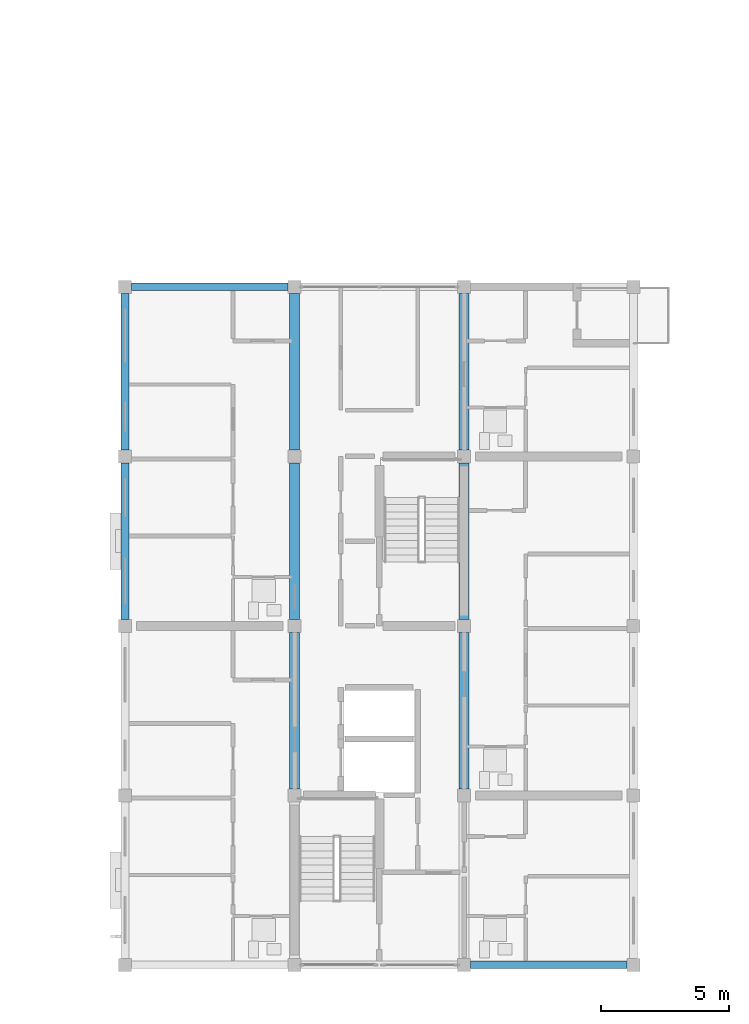
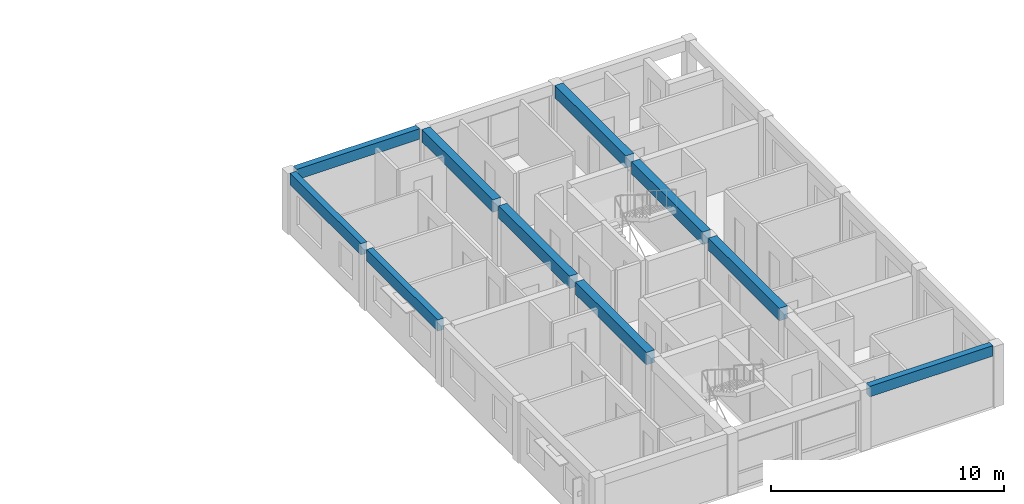
# One storey, part 12 of 52: 10 beams.
"""IFC4 building model written with IfcOpenShell, lengths in metres."""

from ifc_helpers import new_model, si_unit, direction, frame, origin, origin_2d, place, context, subcontext, project, spatial, rectangle, extrude, material, material_profile, profile_set, type_object, element, save


model = new_model("IFC4")

# Units and contexts
model_context = context("Model", 3, precision=1e-05, world=origin(), true_north=direction((0.0, 1.0)))
body_context = subcontext(model_context, "Body", "Model", "MODEL_VIEW")
ifc_project = project(units=[si_unit("LENGTHUNIT", "METRE"), si_unit("AREAUNIT", "SQUARE_METRE"), si_unit("VOLUMEUNIT", "CUBIC_METRE"), si_unit("PLANEANGLEUNIT", "RADIAN"), si_unit("MASSUNIT", "GRAM", prefix="KILO")], contexts=[model_context])

# Site, building, storey
site_placement = place(None, origin())
site = spatial("IfcSite", under=ifc_project, at=site_placement, CompositionType="ELEMENT")
building_placement = place(site_placement, origin())
building = spatial("IfcBuilding", under=site, at=building_placement, Name="Kernevlak Ridge Housing Community", CompositionType="ELEMENT")
storey_placement = place(building_placement, frame((0.0, 0.0, 11.60009765625)))
storey = spatial("IfcBuildingStorey", under=building, at=storey_placement, Name="L03", CompositionType="ELEMENT", Elevation=11.60009765625)

# Beams
ifc_material = material(Name="Concrete C35/45", Category="concrete")
ifc_material_profile_1 = material_profile(ifc_material, rectangle(XDim=0.39990234375, YDim=0.64990234375, at=origin_2d()), Name="RC 400x650")
ifc_profile_set_1 = profile_set([ifc_material_profile_1], Name="Concrete C35/45")
beam_type_1 = type_object("IfcBeamType", Name="B-03", PredefinedType="T_BEAM", material=ifc_profile_set_1)
beam_1_placement = place(storey_placement, frame((132.60009765625, 22.449951171875, 2.875), z_axis=(0.0, 1.0, 0.0), x_axis=(-1.0, 0.0, 0.0)))
element("IfcBeam", 1, at=beam_1_placement, inside=storey, type_object=beam_type_1, Name="Beam B-03 L03 1073", PredefinedType="T_BEAM", context=body_context, shape_type="SweptSolid", body=[
    extrude(rectangle(XDim=0.39990234375, YDim=0.64990234375, at=origin_2d()), origin(), (0.0, 0.0, 1.0), 6.10009765625),
])
beam_2_placement = place(storey_placement, frame((132.60009765625, 29.050048828125, 2.875), z_axis=(0.0, 1.0, 0.0), x_axis=(-1.0, 0.0, 0.0)))
element("IfcBeam", 2, at=beam_2_placement, inside=storey, type_object=beam_type_1, Name="Beam B-03 L03 1074", PredefinedType="T_BEAM", context=body_context, shape_type="SweptSolid", body=[
    extrude(rectangle(XDim=0.39990234375, YDim=0.64990234375, at=origin_2d()), origin(), (0.0, 0.0, 1.0), 6.099853515625),
])
for number, where, z_axis, x_axis, name in (
    (3, (132.60009765625, 35.64990234375, 2.875), (0.0, 1.0, 0.0), (-1.0, 0.0, 0.0), "Beam B-03 L03 1075"),
    (4, (139.199951171875, 22.449951171875, 2.875), (0.0, 1.0, 0.0), (-1.0, 0.0, 0.0), "Beam B-03 L03 1077"),
):
    element("IfcBeam", number, at=place(storey_placement, frame(where, z_axis=z_axis, x_axis=x_axis)), inside=storey, type_object=beam_type_1, Name=name, PredefinedType="T_BEAM", context=body_context, shape_type="SweptSolid", body=[
        extrude(rectangle(XDim=0.39990234375, YDim=0.64990234375, at=origin_2d()), origin(), (0.0, 0.0, 1.0), 6.10009765625),
    ])
beam_3_placement = place(storey_placement, frame((139.199951171875, 29.050048828125, 2.875), z_axis=(0.0, 1.0, 0.0), x_axis=(-1.0, 0.0, 0.0)))
element("IfcBeam", 5, at=beam_3_placement, inside=storey, type_object=beam_type_1, Name="Beam B-03 L03 1078", PredefinedType="T_BEAM", context=body_context, shape_type="SweptSolid", body=[
    extrude(rectangle(XDim=0.39990234375, YDim=0.64990234375, at=origin_2d()), origin(), (0.0, 0.0, 1.0), 6.099853515625),
])
beam_4_placement = place(storey_placement, frame((139.199951171875, 35.64990234375, 2.875), z_axis=(0.0, 1.0, 0.0), x_axis=(-1.0, 0.0, 0.0)))
element("IfcBeam", 6, at=beam_4_placement, inside=storey, type_object=beam_type_1, Name="Beam B-03 L03 1079", PredefinedType="T_BEAM", context=body_context, shape_type="SweptSolid", body=[
    extrude(rectangle(XDim=0.39990234375, YDim=0.64990234375, at=origin_2d()), origin(), (0.0, 0.0, 1.0), 6.10009765625),
])
ifc_material_profile_2 = material_profile(ifc_material, rectangle(XDim=0.300048828125, YDim=0.550048828125, at=origin_2d()), Name="RC 300x550")
ifc_profile_set_2 = profile_set([ifc_material_profile_2], Name="Concrete C35/45")
beam_type_2 = type_object("IfcBeamType", Name="SP-01", PredefinedType="SPANDREL", material=ifc_profile_set_2)
for number, where, z_axis, x_axis, name in (
    (7, (139.449951171875, 15.60009765625, 2.9248046875), (1.0, 0.0, 0.0), (0.0, 1.0, 0.0), "Beam SP-01 L03 1086"),
    (8, (126.25, 42.0, 2.9248046875), (1.0, 0.0, 0.0), (0.0, 1.0, 0.0), "Beam SP-01 L03 1087"),
):
    element("IfcBeam", number, at=place(storey_placement, frame(where, z_axis=z_axis, x_axis=x_axis)), inside=storey, type_object=beam_type_2, Name=name, PredefinedType="SPANDREL", context=body_context, shape_type="SweptSolid", body=[
        extrude(rectangle(XDim=0.300048828125, YDim=0.550048828125, at=origin_2d()), origin(), (0.0, 0.0, 1.0), 6.10009765625),
    ])
ifc_material_profile_3 = material_profile(ifc_material, rectangle(XDim=0.300048828125, YDim=0.60009765625, at=origin_2d()), Name="RC 300x600")
ifc_profile_set_3 = profile_set([ifc_material_profile_3], Name="Concrete C35/45")
beam_type_3 = type_object("IfcBeamType", Name="SP-02", PredefinedType="SPANDREL", material=ifc_profile_set_3)
beam_5_placement = place(storey_placement, frame((126.0, 29.050048828125, 2.89990234375), z_axis=(0.0, 1.0, 0.0), x_axis=(-1.0, 0.0, 0.0)))
element("IfcBeam", 9, at=beam_5_placement, inside=storey, type_object=beam_type_3, Name="Beam SP-02 L03 1070", PredefinedType="SPANDREL", context=body_context, shape_type="SweptSolid", body=[
    extrude(rectangle(XDim=0.300048828125, YDim=0.60009765625, at=origin_2d()), origin(), (0.0, 0.0, 1.0), 6.099853515625),
])
beam_6_placement = place(storey_placement, frame((126.0, 35.64990234375, 2.89990234375), z_axis=(0.0, 1.0, 0.0), x_axis=(-1.0, 0.0, 0.0)))
element("IfcBeam", 10, at=beam_6_placement, inside=storey, type_object=beam_type_3, Name="Beam SP-02 L03 1071", PredefinedType="SPANDREL", context=body_context, shape_type="SweptSolid", body=[
    extrude(rectangle(XDim=0.300048828125, YDim=0.60009765625, at=origin_2d()), origin(), (0.0, 0.0, 1.0), 6.10009765625),
])

save(model, "model.ifc")
